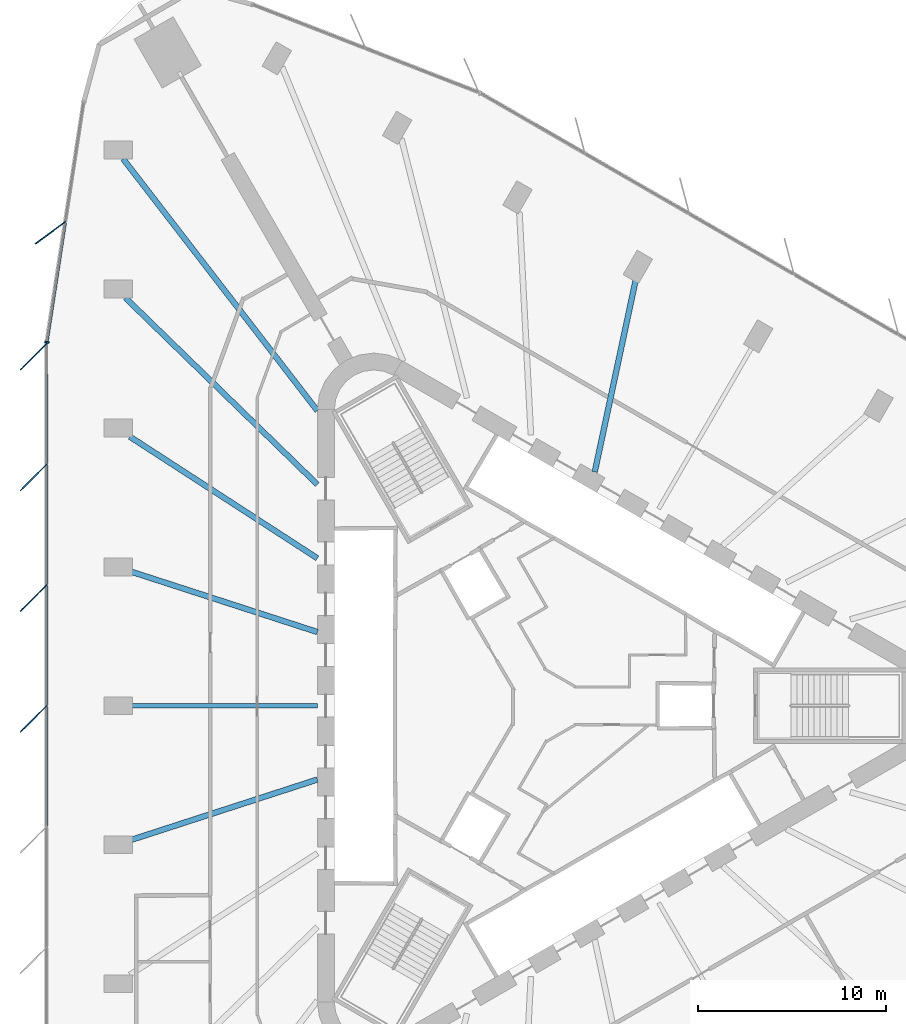
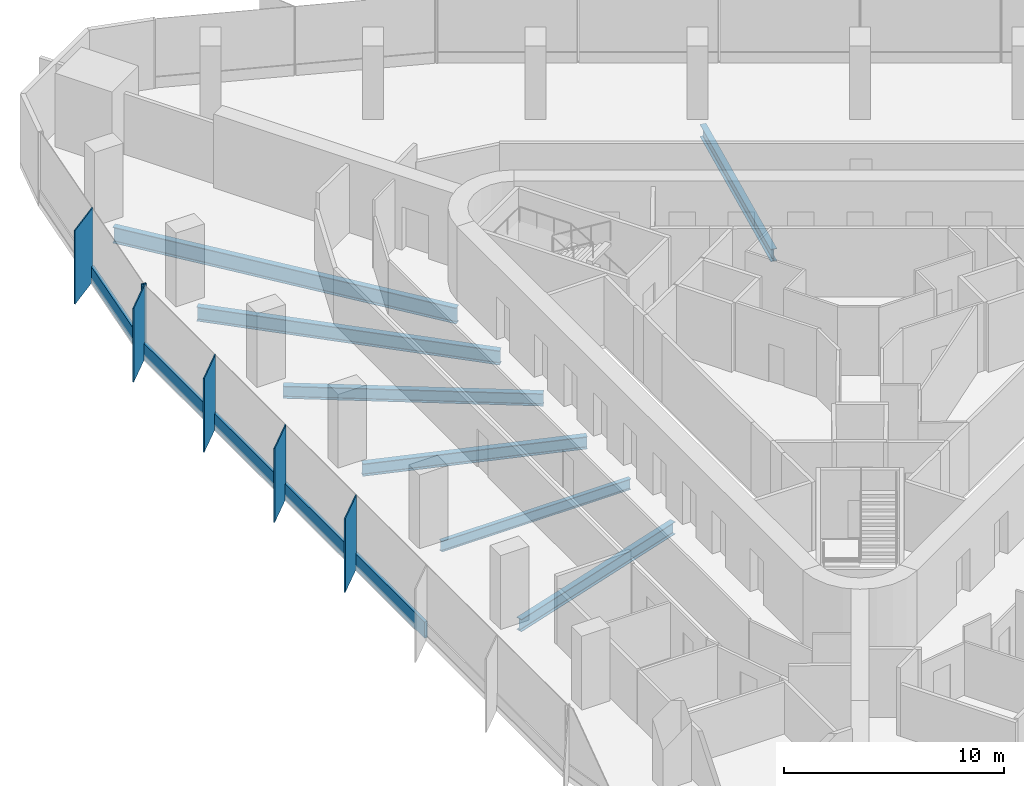
# One storey, part 4 of 15: 11 members, 7 beams, 2 elements without a shape of their own.
"""IFC4 building model written with IfcOpenShell, lengths in metres."""

import ifcopenshell
import ifcopenshell.guid

model = None  # the IFC model being written
_history = None  # IfcOwnerHistory: only IFC2X3 demands one
_inside = {}  # id of a spatial element -> (the spatial element, [elements in it])
_under = {}  # id of a project, library or spatial element -> (it, [spatial elements below it])
_declared = {}  # id of a project -> (the project, [libraries it declares])
_typed = {}  # id of a type object -> (the type object, [elements of that type])
_made_of = {}  # id of a material, layer set ... -> (it, [elements and type objects made of it])


def new_model(schema):
    """Start an empty IFC model of exactly this schema.

    Asked for "IFC4X3", IfcOpenShell would pick the latest addendum, in which some entities
    have other attributes; the version numbers below select the first issue.
    IFC2X3 requires an IfcOwnerHistory on every rooted entity: one is made here for all.
    """
    global model, _history
    if schema == "IFC4X3":
        model = ifcopenshell.file(schema_version=(4, 3, 0, 0))
    else:
        model = ifcopenshell.file(schema=schema)
    _inside.clear()
    _under.clear()
    _declared.clear()
    _typed.clear()
    _made_of.clear()
    _history = None
    if model.schema == "IFC2X3":
        org = make("IfcOrganization", Name="unknown")
        user = make(
            "IfcPersonAndOrganization",
            ThePerson=make("IfcPerson", FamilyName="unknown"),
            TheOrganization=org,
        )
        app = make(
            "IfcApplication",
            ApplicationDeveloper=org,
            Version="unknown",
            ApplicationFullName="unknown",
            ApplicationIdentifier="unknown",
        )
        _history = make(
            "IfcOwnerHistory",
            OwningUser=user,
            OwningApplication=app,
            ChangeAction="ADDED",
            CreationDate=0,
        )
    return model


def make(cls, **values):
    """One entity of the class cls with the attributes given. An attribute that is None is left unset."""
    return model.create_entity(
        cls, **{name: value for name, value in values.items() if value is not None}
    )


def rooted(cls, **values):
    """An entity with a GlobalId (a new one), such as an element, a storey or a relation."""
    return make(cls, GlobalId=ifcopenshell.guid.new(), OwnerHistory=_history, **values)


def si_unit(unit_type, name, prefix=None):
    """IfcSIUnit, for example si_unit("LENGTHUNIT", "METRE", prefix="MILLI")."""
    return make("IfcSIUnit", UnitType=unit_type, Prefix=prefix, Name=name)


def assignment(units):
    """IfcUnitAssignment: the units of a project."""
    return None if units is None else make("IfcUnitAssignment", Units=units)


def point(xyz):
    """IfcCartesianPoint."""
    return None if xyz is None else make("IfcCartesianPoint", Coordinates=xyz)


def direction(xyz):
    """IfcDirection."""
    return None if xyz is None else make("IfcDirection", DirectionRatios=xyz)


def frame(location, z_axis=None, x_axis=None):
    """IfcAxis2Placement3D, a coordinate frame: its origin and axes. An axis left out is left unset."""
    return make(
        "IfcAxis2Placement3D",
        Location=point(location),
        Axis=direction(z_axis),
        RefDirection=direction(x_axis),
    )


def frame_2d(location, x_axis=None):
    """IfcAxis2Placement2D, a coordinate frame in the plane: its origin and x axis."""
    return make(
        "IfcAxis2Placement2D", Location=point(location), RefDirection=direction(x_axis)
    )


def origin():
    """The frame at (0, 0, 0) with its axes left unset."""
    return frame((0.0, 0.0, 0.0))


def origin_2d():
    """The frame at (0, 0) in the plane with its x axis left unset."""
    return frame_2d((0.0, 0.0))


def place(relative_to, where):
    """IfcLocalPlacement: puts the frame where relative to a parent placement (None: the world)."""
    return make(
        "IfcLocalPlacement", PlacementRelTo=relative_to, RelativePlacement=where
    )


def context(
    kind, dimensions, precision=None, world=None, true_north=None, identifier=None
):
    """IfcGeometricRepresentationContext, for example the 3D "Model" context."""
    return make(
        "IfcGeometricRepresentationContext",
        ContextIdentifier=identifier,
        ContextType=kind,
        CoordinateSpaceDimension=dimensions,
        Precision=precision,
        WorldCoordinateSystem=world,
        TrueNorth=true_north,
    )


def subcontext(parent, identifier, kind, view, scale=None):
    """IfcGeometricRepresentationSubContext, for example "Body" below "Model"."""
    return make(
        "IfcGeometricRepresentationSubContext",
        ContextIdentifier=identifier,
        ContextType=kind,
        ParentContext=parent,
        TargetScale=scale,
        TargetView=view,
    )


def project(units=None, contexts=None):
    """IfcProject with its units and contexts."""
    return rooted(
        "IfcProject",
        Name="project",
        RepresentationContexts=contexts,
        UnitsInContext=assignment(units),
    )


def spatial(cls, under=None, at=None, **own):
    """A site, building, storey or space (cls), placed at a placement, below another one or the project."""
    s = rooted(cls, ObjectPlacement=at, **own)
    if under is not None:
        _under.setdefault(under.id(), (under, []))[1].append(s)
    return s


def profile(cls, at=None, kind="AREA", **sizes):
    """A parametric profile (cls). Its sizes go by their IFC names, for example OverallWidth=200.0."""
    return make(cls, ProfileType=kind, Position=at, **sizes)


def rectangle(**sizes):
    """IfcRectangleProfileDef."""
    return profile("IfcRectangleProfileDef", **sizes)


def i_section(**sizes):
    """IfcIShapeProfileDef."""
    return profile("IfcIShapeProfileDef", **sizes)


def extrude(swept, where, along, depth):
    """IfcExtrudedAreaSolid: the profile swept, set in the frame where, extruded along a direction by depth."""
    return make(
        "IfcExtrudedAreaSolid",
        SweptArea=swept,
        Position=where,
        ExtrudedDirection=direction(along),
        Depth=depth,
    )


def shape(context_of_items, identifier, shape_type, items):
    """IfcShapeRepresentation: the items that make up one representation, for example the "Body"."""
    return make(
        "IfcShapeRepresentation",
        ContextOfItems=context_of_items,
        RepresentationIdentifier=identifier,
        RepresentationType=shape_type,
        Items=items,
    )


def material(Name=None, Category=None):
    """IfcMaterial."""
    return make("IfcMaterial", Name=Name, Category=Category)


def material_profile(
    of_material, cross_section, Name=None, Category=None, Priority=None
):
    """IfcMaterialProfile: a cross section and its material."""
    return make(
        "IfcMaterialProfile",
        Name=Name,
        Material=of_material,
        Profile=cross_section,
        Priority=Priority,
        Category=Category,
    )


def profile_set(profiles, Name=None, composite=None):
    """IfcMaterialProfileSet."""
    return make(
        "IfcMaterialProfileSet",
        Name=Name,
        MaterialProfiles=profiles,
        CompositeProfile=composite,
    )


def made_of(thing, what):
    """Note that an element or type object is made of a material, layer set ...; save() writes the relation."""
    if what is not None:
        _made_of.setdefault(what.id(), (what, []))[1].append(thing)
    return thing


def type_object(cls, material=None, **own):
    """A type object (cls), such as IfcWallType, which elements share."""
    return made_of(rooted(cls, **own), material)


def element(
    cls,
    number,
    at=None,
    inside=None,
    cuts=None,
    type_object=None,
    material=None,
    context=None,
    identifier="Body",
    shape_type=None,
    held_by="IfcProductDefinitionShape",
    body=None,
    shapes=None,
    **own,
):
    """One element of the class cls, such as IfcWall. Its Tag is "e" and its number.

    at: its placement. inside: the storey or other place that contains it. cuts: it is an
    opening in that element (IfcRelVoidsElement). A single representation is given by context,
    identifier, shape_type and body (its items); several are given by shapes. held_by: the class
    of the entity that holds the representations. save() writes the other relations.
    """
    e = rooted(cls, Tag="e%d" % number, ObjectPlacement=at, **own)
    if body is not None:
        shapes = [shape(context, identifier, shape_type, body)]
    if shapes is not None:
        e.Representation = make(held_by, Representations=shapes)
    if inside is not None:
        _inside.setdefault(inside.id(), (inside, []))[1].append(e)
    if cuts is not None:
        rooted(
            "IfcRelVoidsElement", RelatingBuildingElement=cuts, RelatedOpeningElement=e
        )
    if type_object is not None:
        _typed.setdefault(type_object.id(), (type_object, []))[1].append(e)
    return made_of(e, material)


def aggregate(whole, parts):
    """IfcRelAggregates: a whole, such as a stair, and the parts it consists of."""
    return rooted("IfcRelAggregates", RelatingObject=whole, RelatedObjects=parts)


def save(model, path):
    """Write the relations noted so far, then the file.

    IfcRelAggregates (storeys below a building ...), IfcRelContainedInSpatialStructure (elements
    in a storey), IfcRelDefinesByType, IfcRelAssociatesMaterial and IfcRelDeclares: one each for
    every whole, place, type object, material and project.
    """
    for whole, parts in _under.values():
        aggregate(whole, parts)
    for where, things in _inside.values():
        rooted(
            "IfcRelContainedInSpatialStructure",
            RelatedElements=things,
            RelatingStructure=where,
        )
    for kind, things in _typed.values():
        rooted("IfcRelDefinesByType", RelatedObjects=things, RelatingType=kind)
    for what, things in _made_of.values():
        rooted("IfcRelAssociatesMaterial", RelatedObjects=things, RelatingMaterial=what)
    for by, libraries in _declared.values():
        rooted("IfcRelDeclares", RelatingContext=by, RelatedDefinitions=libraries)
    model.write(path)


model = new_model("IFC4")

# Units and contexts
model_context = context("Model", 3, precision=1e-05, world=origin(), true_north=direction((0.0, 1.0)))
body_context = subcontext(model_context, "Body", "Model", "MODEL_VIEW")
ifc_project = project(units=[si_unit("LENGTHUNIT", "METRE"), si_unit("AREAUNIT", "SQUARE_METRE"), si_unit("VOLUMEUNIT", "CUBIC_METRE"), si_unit("PLANEANGLEUNIT", "RADIAN"), si_unit("MASSUNIT", "GRAM", prefix="KILO")], contexts=[model_context])

# Site, building, storey
site_placement = place(None, origin())
site = spatial("IfcSite", under=ifc_project, at=site_placement, CompositionType="ELEMENT")
building_placement = place(site_placement, origin())
building = spatial("IfcBuilding", under=site, at=building_placement, Name="Tanit Gate Tower", CompositionType="ELEMENT")
storey_placement = place(building_placement, frame((0.0, 0.0, 131.60009765625)))
storey = spatial("IfcBuildingStorey", under=building, at=storey_placement, Name="L28", CompositionType="ELEMENT", Elevation=131.60009765625)

# Curtain wall, member
ifc_material_1 = material(Name="Aluminium bronze anodised and glass", Category="aluminium")
curtain_wall_type = type_object("IfcCurtainWallType", Name="Curtain wall typical low", PredefinedType="NOTDEFINED", material=ifc_material_1)
curtain_wall_1_placement = place(storey_placement, origin())
curtain_wall_1 = element("IfcCurtainWall", 1, at=curtain_wall_1_placement, inside=storey, type_object=curtain_wall_type, Name="Curtain wall L28 W1", PredefinedType="NOTDEFINED")
ifc_material_2 = material(Name="Aluminium bronze anodised", Category="aluminium")
ifc_material_profile_1 = material_profile(ifc_material_2, rectangle(XDim=2.0, YDim=0.055908203125, at=origin_2d()), Name="56x2000 bronze fin mullion")
ifc_profile_set_1 = profile_set([ifc_material_profile_1], Name="Aluminium bronze anodised")
member_type_1 = type_object("IfcMemberType", Name="FIN MULLION 56x2000 bronze", PredefinedType="MULLION", material=ifc_profile_set_1)
member_1_placement = place(storey_placement, frame((-26.29931640625, 25.1591796875, -0.300048828125), z_axis=(0.0, 0.0, 1.0), x_axis=(0.806255156627, 0.591567935586, 0.0)))
member_1 = element("IfcMember", 2, at=member_1_placement, type_object=member_type_1, Name="Fin mullion L28 W1.2", PredefinedType="MULLION", context=body_context, shape_type="SweptSolid", body=[
    extrude(rectangle(XDim=2.0, YDim=0.055908203125, at=origin_2d()), origin(), (0.0, 0.0, 1.0), 4.099853515625),
])

# Curtain wall, members
curtain_wall_2_placement = place(storey_placement, origin())
curtain_wall_2 = element("IfcCurtainWall", 3, at=curtain_wall_2_placement, inside=storey, type_object=curtain_wall_type, Name="Curtain wall L28 W2", PredefinedType="NOTDEFINED")
member_2_placement = place(storey_placement, frame((-27.190185546875, 18.575439453125, -0.300048828125), z_axis=(0.0, 0.0, 1.0), x_axis=(0.707155809403, 0.707057749571, 0.0)))
member_2 = element("IfcMember", 4, at=member_2_placement, type_object=member_type_1, Name="Fin mullion L28 W2.1", PredefinedType="MULLION", context=body_context, shape_type="SweptSolid", body=[
    extrude(rectangle(XDim=2.0, YDim=0.055908203125, at=origin_2d()), origin(), (0.0, 0.0, 1.0), 4.099853515625),
])
member_3_placement = place(storey_placement, frame((-27.190673828125, 12.1533203125, -0.300048828125), z_axis=(0.0, 0.0, 1.0), x_axis=(0.707155809403, 0.707057749571, 0.0)))
member_3 = element("IfcMember", 5, at=member_3_placement, type_object=member_type_1, Name="Fin mullion L28 W2.2", PredefinedType="MULLION", context=body_context, shape_type="SweptSolid", body=[
    extrude(rectangle(XDim=2.0, YDim=0.055908203125, at=origin_2d()), origin(), (0.0, 0.0, 1.0), 4.099853515625),
])
member_4_placement = place(storey_placement, frame((-27.191162109375, 5.731201171875, -0.300048828125), z_axis=(0.0, 0.0, 1.0), x_axis=(0.707155809403, 0.707057749571, 0.0)))
member_4 = element("IfcMember", 6, at=member_4_placement, type_object=member_type_1, Name="Fin mullion L28 W2.3", PredefinedType="MULLION", context=body_context, shape_type="SweptSolid", body=[
    extrude(rectangle(XDim=2.0, YDim=0.055908203125, at=origin_2d()), origin(), (0.0, 0.0, 1.0), 4.099853515625),
])
member_5_placement = place(storey_placement, frame((-27.191650390625, -0.691162109375, -0.300048828125), z_axis=(0.0, 0.0, 1.0), x_axis=(0.707155809403, 0.707057749571, 0.0)))
member_5 = element("IfcMember", 7, at=member_5_placement, type_object=member_type_1, Name="Fin mullion L28 W2.4", PredefinedType="MULLION", context=body_context, shape_type="SweptSolid", body=[
    extrude(rectangle(XDim=2.0, YDim=0.055908203125, at=origin_2d()), origin(), (0.0, 0.0, 1.0), 4.099853515625),
])

# Member
ifc_material_3 = material(Name="Aluminium bronze anodised", Category="aluminium")
ifc_material_profile_2 = material_profile(ifc_material_3, rectangle(XDim=0.239990234375, YDim=0.080078125, at=origin_2d()), Name="80x240 bronze mullion")
ifc_profile_set_2 = profile_set([ifc_material_profile_2], Name="Aluminium bronze anodised")
member_type_2 = type_object("IfcMemberType", Name="Mullion 80x240 typical low", PredefinedType="MULLION", material=ifc_profile_set_2)
member_6_placement = place(storey_placement, frame((-26.492919921875, 19.345947265625, -0.300048828125), z_axis=(0.0, 0.0, 1.0), x_axis=(0.988410187402, -0.151806789832, 0.0)))
member_6 = element("IfcMember", 8, at=member_6_placement, type_object=member_type_2, Name="Mullion L28 W1.3", PredefinedType="MULLION", context=body_context, shape_type="SweptSolid", body=[
    extrude(rectangle(XDim=0.239990234375, YDim=0.080078125, at=origin_2d()), origin(), (0.0, 0.0, 1.0), 4.099853515625),
])

# Beams
ifc_material_4 = material(Name="Steel S355", Category="steel")
ifc_material_profile_3 = material_profile(ifc_material_4, i_section(OverallWidth=0.300048828125, OverallDepth=0.68994140625, WebThickness=0.014404296875, FlangeThickness=0.027099609375, FilletRadius=0.027099609375, at=origin_2d()), Name="HEA 700")
ifc_profile_set_3 = profile_set([ifc_material_profile_3], Name="Steel S355")
beam_type_1 = type_object("IfcBeamType", Name="RADIAL GIRDER HEA 700 S355", PredefinedType="BEAM", material=ifc_profile_set_3)
beam_1_placement = place(storey_placement, frame((-22.05029296875, -7.148193359375, -0.64501953125), z_axis=(0.95126095363, 0.308387091329, 0.0), x_axis=(-0.308387091329, 0.95126095363, 0.0)))
element("IfcBeam", 9, at=beam_1_placement, inside=storey, type_object=beam_type_1, Name="RADIAL GIRDER", PredefinedType="BEAM", context=body_context, shape_type="SweptSolid", body=[
    extrude(i_section(OverallWidth=0.300048828125, OverallDepth=0.68994140625, WebThickness=0.014404296875, FlangeThickness=0.027099609375, FilletRadius=0.027099609375, at=origin_2d()), origin(), (0.0, 0.0, 1.0), 10.4580078125),
])
beam_2_placement = place(storey_placement, frame((4.83447265625, 22.670166015625, -0.64501953125), z_axis=(-0.208567613374, -0.978007950199, 0.0), x_axis=(0.978007950199, -0.208567613374, 0.0)))
element("IfcBeam", 10, at=beam_2_placement, inside=storey, type_object=beam_type_1, Name="RADIAL GIRDER", PredefinedType="BEAM", context=body_context, shape_type="SweptSolid", body=[
    extrude(i_section(OverallWidth=0.300048828125, OverallDepth=0.68994140625, WebThickness=0.014404296875, FlangeThickness=0.027099609375, FilletRadius=0.027099609375, at=origin_2d()), origin(), (0.0, 0.0, 1.0), 10.457763671875),
])
beam_3_placement = place(storey_placement, frame((-22.067626953125, 14.307861328125, -0.64501953125), z_axis=(0.839066280254, -0.54402920633, 0.0), x_axis=(0.54402920633, 0.839066280254, 0.0)))
element("IfcBeam", 11, at=beam_3_placement, inside=storey, type_object=beam_type_1, Name="RADIAL GIRDER", PredefinedType="BEAM", context=body_context, shape_type="SweptSolid", body=[
    extrude(i_section(OverallWidth=0.300048828125, OverallDepth=0.68994140625, WebThickness=0.014404296875, FlangeThickness=0.027099609375, FilletRadius=0.027099609375, at=origin_2d()), origin(), (0.0, 0.0, 1.0), 11.876953125),
])
beam_4_placement = place(storey_placement, frame((-22.05029296875, 7.148193359375, -0.64501953125), z_axis=(0.95126095363, -0.308387091329, 0.0), x_axis=(0.308387091329, 0.95126095363, 0.0)))
element("IfcBeam", 12, at=beam_4_placement, inside=storey, type_object=beam_type_1, Name="RADIAL GIRDER", PredefinedType="BEAM", context=body_context, shape_type="SweptSolid", body=[
    extrude(i_section(OverallWidth=0.300048828125, OverallDepth=0.68994140625, WebThickness=0.014404296875, FlangeThickness=0.027099609375, FilletRadius=0.027099609375, at=origin_2d()), origin(), (0.0, 0.0, 1.0), 10.4580078125),
])
ifc_material_5 = material(Name="Steel S355", Category="steel")
ifc_material_profile_4 = material_profile(ifc_material_5, i_section(OverallWidth=0.300048828125, OverallDepth=0.7900390625, WebThickness=0.014892578125, FlangeThickness=0.028076171875, FilletRadius=0.030029296875, at=origin_2d()), Name="HEA 800")
ifc_profile_set_4 = profile_set([ifc_material_profile_4], Name="Steel S355")
beam_type_2 = type_object("IfcBeamType", Name="RADIAL GIRDER HEA 800 S355", PredefinedType="BEAM", material=ifc_profile_set_4)
beam_5_placement = place(storey_placement, frame((-22.311767578125, 21.69921875, -0.695068359375), z_axis=(0.716878053462, -0.697198577497, 0.0), x_axis=(0.697198577497, 0.716878053462, 0.0)))
element("IfcBeam", 13, at=beam_5_placement, inside=storey, type_object=beam_type_2, Name="RADIAL GIRDER", PredefinedType="BEAM", context=body_context, shape_type="SweptSolid", body=[
    extrude(i_section(OverallWidth=0.300048828125, OverallDepth=0.7900390625, WebThickness=0.014892578125, FlangeThickness=0.028076171875, FilletRadius=0.030029296875, at=origin_2d()), origin(), (0.0, 0.0, 1.0), 14.241943359375),
])
ifc_material_6 = material(Name="Steel S355", Category="steel")
ifc_material_profile_5 = material_profile(ifc_material_6, i_section(OverallWidth=0.300048828125, OverallDepth=0.889892578125, WebThickness=0.01611328125, FlangeThickness=0.030029296875, FilletRadius=0.030029296875, at=origin_2d()), Name="HEA 900")
ifc_profile_set_5 = profile_set([ifc_material_profile_5], Name="Steel S355")
beam_type_3 = type_object("IfcBeamType", Name="RADIAL GIRDER HEA 900 S355", PredefinedType="BEAM", material=ifc_profile_set_5)
beam_6_placement = place(storey_placement, frame((-22.433837890625, 29.0908203125, -0.7451171875), z_axis=(0.610670590599, -0.791884732633, 0.0), x_axis=(0.791884732633, 0.610670590599, 0.0)))
element("IfcBeam", 14, at=beam_6_placement, inside=storey, type_object=beam_type_3, Name="RADIAL GIRDER", PredefinedType="BEAM", context=body_context, shape_type="SweptSolid", body=[
    extrude(i_section(OverallWidth=0.300048828125, OverallDepth=0.889892578125, WebThickness=0.01611328125, FlangeThickness=0.030029296875, FilletRadius=0.030029296875, at=origin_2d()), origin(), (0.0, 0.0, 1.0), 16.918701171875),
])
ifc_material_7 = material(Name="Steel S355", Category="steel")
ifc_material_profile_6 = material_profile(ifc_material_7, i_section(OverallWidth=0.219970703125, OverallDepth=0.60009765625, WebThickness=0.011962890625, FlangeThickness=0.01904296875, FilletRadius=0.02392578125, at=origin_2d()), Name="IPE 600")
ifc_profile_set_6 = profile_set([ifc_material_profile_6], Name="Steel S355")
beam_type_4 = type_object("IfcBeamType", Name="RADIAL GIRDER IPE 600 S355", PredefinedType="BEAM", material=ifc_profile_set_6)
beam_7_placement = place(storey_placement, frame((-22.05029296875, 0.0, -0.60009765625), z_axis=(1.0, 0.0, 0.0), x_axis=(0.0, 1.0, 0.0)))
element("IfcBeam", 15, at=beam_7_placement, inside=storey, type_object=beam_type_4, Name="RADIAL GIRDER", PredefinedType="BEAM", context=body_context, shape_type="SweptSolid", body=[
    extrude(i_section(OverallWidth=0.219970703125, OverallDepth=0.60009765625, WebThickness=0.011962890625, FlangeThickness=0.01904296875, FilletRadius=0.02392578125, at=origin_2d()), origin(), (0.0, 0.0, 1.0), 9.9482421875),
])

# Member
ifc_material_8 = material(Name="Aluminium bronze anodised", Category="aluminium")
ifc_material_profile_7 = material_profile(ifc_material_8, rectangle(XDim=0.159912109375, YDim=0.89990234375, at=origin_2d()), Name="160x900 bronze transom")
ifc_profile_set_7 = profile_set([ifc_material_profile_7], Name="Aluminium bronze anodised")
member_type_3 = type_object("IfcMemberType", Name="Transom 160x900 typical low", PredefinedType="USERDEFINED", material=ifc_profile_set_7)
member_7_placement = place(storey_placement, frame((-25.517333984375, 25.69775390625, 0.14990234375), z_axis=(-0.151807254715, -0.988410116002, 0.0), x_axis=(0.988410116002, -0.151807254715, 0.0)))
member_7 = element("IfcMember", 16, at=member_7_placement, type_object=member_type_3, Name="Transom L28 W1.2", ObjectType="TRANSOM", PredefinedType="USERDEFINED", context=body_context, shape_type="SweptSolid", body=[
    extrude(rectangle(XDim=0.159912109375, YDim=0.89990234375, at=origin_2d()), origin(), (0.0, 0.0, 1.0), 6.38623046875),
])

aggregate(curtain_wall_1, [member_1, member_6, member_7])

member_8_placement = place(storey_placement, frame((-26.4990234375, 19.2265625, 0.14990234375), z_axis=(-7.6988221e-05, -0.999999997036, 0.0), x_axis=(0.999999997036, -7.6988221e-05, 0.0)))
member_8 = element("IfcMember", 17, at=member_8_placement, type_object=member_type_3, Name="Transom L28 W2.1", ObjectType="TRANSOM", PredefinedType="USERDEFINED", context=body_context, shape_type="SweptSolid", body=[
    extrude(rectangle(XDim=0.159912109375, YDim=0.89990234375, at=origin_2d()), origin(), (0.0, 0.0, 1.0), 6.34228515625),
])

member_9_placement = place(storey_placement, frame((-26.49951171875, 12.80419921875, 0.14990234375), z_axis=(-7.6991184e-05, -0.999999997036, 0.0), x_axis=(0.999999997036, -7.6991184e-05, 0.0)))
member_9 = element("IfcMember", 18, at=member_9_placement, type_object=member_type_3, Name="Transom L28 W2.2", ObjectType="TRANSOM", PredefinedType="USERDEFINED", context=body_context, shape_type="SweptSolid", body=[
    extrude(rectangle(XDim=0.159912109375, YDim=0.89990234375, at=origin_2d()), origin(), (0.0, 0.0, 1.0), 6.342041015625),
])

member_10_placement = place(storey_placement, frame((-26.5, 6.382080078125, 0.14990234375), z_axis=(-7.6991184e-05, -0.999999997036, 0.0), x_axis=(0.999999997036, -7.6991184e-05, 0.0)))
member_10 = element("IfcMember", 19, at=member_10_placement, type_object=member_type_3, Name="Transom L28 W2.3", ObjectType="TRANSOM", PredefinedType="USERDEFINED", context=body_context, shape_type="SweptSolid", body=[
    extrude(rectangle(XDim=0.159912109375, YDim=0.89990234375, at=origin_2d()), origin(), (0.0, 0.0, 1.0), 6.342041015625),
])

member_11_placement = place(storey_placement, frame((-26.50048828125, -0.0400390625, 0.14990234375), z_axis=(-3.8495592e-05, -0.999999999259, 0.0), x_axis=(0.999999999259, -3.8495592e-05, 0.0)))
member_11 = element("IfcMember", 20, at=member_11_placement, type_object=member_type_3, Name="Transom L28 W2.4", ObjectType="TRANSOM", PredefinedType="USERDEFINED", context=body_context, shape_type="SweptSolid", body=[
    extrude(rectangle(XDim=0.159912109375, YDim=0.89990234375, at=origin_2d()), origin(), (0.0, 0.0, 1.0), 6.342041015625),
])

aggregate(curtain_wall_2, [member_2, member_3, member_4, member_5, member_8, member_9, member_10, member_11])

save(model, "model.ifc")
